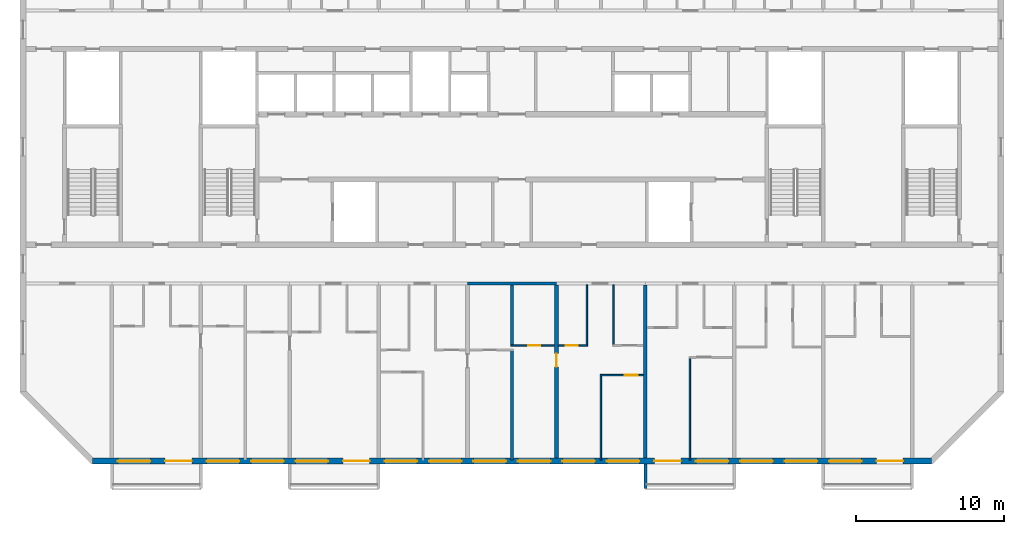
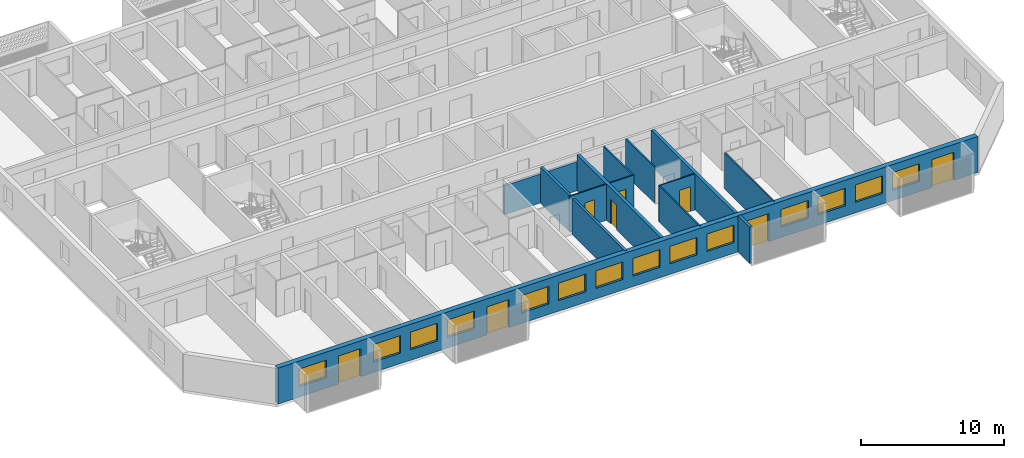
# One storey, part 4 of 26: 14 walls, 14 windows, 8 doors, 22 openings.
"""IFC4 building model written with IfcOpenShell, lengths in metres."""

from ifc_helpers import new_model, si_unit, direction, frame, frame_2d, origin, place, context, subcontext, project, spatial, polyline, rectangle, outline, extrude, source, transform, mapped, material, layer, layer_set, type_object, element, fill, save


model = new_model("IFC4")

# Units and contexts
model_context = context("Model", 3, precision=1e-05, world=origin(), true_north=direction((0.0, 1.0)))
body_context = subcontext(model_context, "Body", "Model", "MODEL_VIEW")
ifc_project = project(units=[si_unit("LENGTHUNIT", "METRE"), si_unit("AREAUNIT", "SQUARE_METRE"), si_unit("VOLUMEUNIT", "CUBIC_METRE"), si_unit("PLANEANGLEUNIT", "RADIAN"), si_unit("MASSUNIT", "GRAM", prefix="KILO")], contexts=[model_context])

# Site, building, storey
site_placement = place(None, origin())
site = spatial("IfcSite", under=ifc_project, at=site_placement, CompositionType="ELEMENT")
building_placement = place(site_placement, origin())
building = spatial("IfcBuilding", under=site, at=building_placement, Name="Poui Terraces", CompositionType="ELEMENT")
storey_placement = place(building_placement, frame((0.0, 0.0, 244.5)))
storey = spatial("IfcBuildingStorey", under=building, at=storey_placement, Name="L68", CompositionType="ELEMENT", Elevation=244.5)

# Wall
ifc_material_1 = material(Name="Concrete 50 MPa", Category="concrete")
ifc_layer_1 = layer(ifc_material_1, 0.199951171875)
ifc_layer_set_1 = layer_set([ifc_layer_1], Name="Concrete 50 MPa")
wall_type_1 = type_object("IfcWallType", Name="CORRIDOR WALL 200 50MPa", PredefinedType="SHEAR", material=ifc_layer_set_1)
wall_1_placement = place(storey_placement, frame((48.0, 12.0, 0.0), z_axis=(0.0, 0.0, 1.0), x_axis=(1.0, 0.0, 0.0)))
element("IfcWall", 1, at=wall_1_placement, inside=storey, type_object=wall_type_1, Name="CORRIDOR WALL LINE B BAY 6", PredefinedType="SHEAR", context=body_context, shape_type="SweptSolid", body=[
    extrude(rectangle(XDim=6.0, YDim=0.199951171875, at=frame_2d((3.0, 0.0))), origin(), (0.0, 0.0, 1.0), 2.47998046875),
])

# Wall, opening, door
ifc_layer_2 = layer(ifc_material_1, 0.25)
ifc_layer_set_2 = layer_set([ifc_layer_2], Name="Concrete 50 MPa")
wall_type_2 = type_object("IfcWallType", Name="CROSS WALL 250 50MPa", PredefinedType="SHEAR", material=ifc_layer_set_2)
wall_2_placement = place(storey_placement, frame((54.0, 0.199951171875, 0.0), z_axis=(0.0, 0.0, 1.0), x_axis=(0.0, 1.0, 0.0)))
wall_2 = element("IfcWall", 2, at=wall_2_placement, inside=storey, type_object=wall_type_2, Name="CROSS WALL LINE 10 SOUTH", PredefinedType="SHEAR", context=body_context, shape_type="SweptSolid", body=[
    extrude(rectangle(XDim=11.699951171875, YDim=0.25, at=frame_2d((5.85009765625, 0.0))), origin(), (0.0, 0.0, 1.0), 3.080078125),
])
opening_1_placement = place(wall_2_placement, frame((6.14990234375, 0.0, 0.0)))
opening_1 = element("IfcOpeningElement", 3, at=opening_1_placement, cuts=wall_2, Name="Opening D90", PredefinedType="OPENING", context=body_context, shape_type="SweptSolid", body=[
    extrude(rectangle(XDim=0.89990234375, YDim=2.10009765625, at=frame_2d((0.449951171875, 1.050048828125))), frame((0.0, 0.135009765625, 0.0), z_axis=(0.0, -1.0, 0.0), x_axis=(1.0, 0.0, 0.0)), (0.0, 0.0, 1.0), 0.27001953125),
])
ifc_material_2 = material(Name="Solid core timber door", Category="wood")
door_type_1 = type_object("IfcDoorType", Name="INTERNAL DOOR 900 X 2100", OperationType="NOTDEFINED", PredefinedType="DOOR", material=ifc_material_2)
door_1_placement = place(opening_1_placement, origin())
door_1 = element("IfcDoor", 4, at=door_1_placement, inside=storey, type_object=door_type_1, Name="INTERNAL DOOR 079", OperationType="SINGLE_SWING_RIGHT", OverallHeight=2.10009765625, OverallWidth=0.89990234375, PredefinedType="DOOR", context=body_context, shape_type="SweptSolid", body=[
    extrude(rectangle(XDim=0.89990234375, YDim=2.10009765625, at=frame_2d((0.449951171875, 1.050048828125))), frame((0.0, 0.02490234375, 0.0), z_axis=(0.0, -1.0, 0.0), x_axis=(1.0, 0.0, 0.0)), (0.0, 0.0, 1.0), 0.050048828125),
])
fill(opening_1, door_1)

# Wall
wall_3_placement = place(storey_placement, frame((60.0, 0.199951171875, 0.0), z_axis=(0.0, 0.0, 1.0), x_axis=(0.0, 1.0, 0.0)))
element("IfcWall", 5, at=wall_3_placement, inside=storey, type_object=wall_type_2, Name="CROSS WALL LINE 11 SOUTH", PredefinedType="SHEAR", context=body_context, shape_type="SweptSolid", body=[
    extrude(rectangle(XDim=11.699951171875, YDim=0.25, at=frame_2d((5.85009765625, 0.0))), origin(), (0.0, 0.0, 1.0), 3.080078125),
])

# Wall, openings, doors, windows
ifc_material_3 = material(Name="Precast concrete 40 MPa", Category="concrete")
ifc_layer_3 = layer(ifc_material_3, 0.39990234375)
ifc_layer_set_3 = layer_set([ifc_layer_3], Name="Precast concrete 40 MPa")
wall_type_3 = type_object("IfcWallType", Name="EXTERNAL WALL 400", PredefinedType="STANDARD", material=ifc_layer_set_3)
wall_4_placement = place(storey_placement, frame((22.682861328125, 0.0, 0.0), z_axis=(0.0, 0.0, 1.0), x_axis=(1.0, 0.0, 0.0)))
wall_4 = element("IfcWall", 6, at=wall_4_placement, inside=storey, type_object=wall_type_3, Name="EXTERNAL WALL S", PredefinedType="STANDARD", context=body_context, shape_type="SweptSolid", body=[
    extrude(rectangle(XDim=56.63427734375, YDim=0.39990234375, at=frame_2d((28.317138671875, 0.0))), origin(), (0.0, 0.0, 1.0), 3.080078125),
])
opening_2_placement = place(wall_4_placement, frame((1.71728515625, 0.0, 0.89990234375)))
opening_2 = element("IfcOpeningElement", 7, at=opening_2_placement, cuts=wall_4, Name="Opening W1", PredefinedType="OPENING", context=body_context, shape_type="SweptSolid", body=[
    extrude(rectangle(XDim=2.199951171875, YDim=1.5, at=frame_2d((1.10009765625, 0.75))), frame((0.0, 0.2099609375, 0.0), z_axis=(0.0, -1.0, 0.0), x_axis=(1.0, 0.0, 0.0)), (0.0, 0.0, 1.0), 0.419921875),
])
opening_3_placement = place(wall_4_placement, frame((4.917236328125, 0.0, 0.0)))
opening_3 = element("IfcOpeningElement", 8, at=opening_3_placement, cuts=wall_4, Name="Opening BD1", PredefinedType="OPENING", context=body_context, shape_type="SweptSolid", body=[
    extrude(rectangle(XDim=1.800048828125, YDim=2.39990234375, at=frame_2d((0.89990234375, 1.199951171875))), frame((0.0, 0.2099609375, 0.0), z_axis=(0.0, -1.0, 0.0), x_axis=(1.0, 0.0, 0.0)), (0.0, 0.0, 1.0), 0.419921875),
])
opening_4_placement = place(wall_4_placement, frame((7.71728515625, 0.0, 0.89990234375)))
opening_4 = element("IfcOpeningElement", 9, at=opening_4_placement, cuts=wall_4, Name="Opening W1", PredefinedType="OPENING", context=body_context, shape_type="SweptSolid", body=[
    extrude(rectangle(XDim=2.199951171875, YDim=1.5, at=frame_2d((1.10009765625, 0.75))), frame((0.0, 0.2099609375, 0.0), z_axis=(0.0, -1.0, 0.0), x_axis=(1.0, 0.0, 0.0)), (0.0, 0.0, 1.0), 0.419921875),
])
opening_5_placement = place(wall_4_placement, frame((10.71728515625, 0.0, 0.89990234375)))
opening_5 = element("IfcOpeningElement", 10, at=opening_5_placement, cuts=wall_4, Name="Opening W1", PredefinedType="OPENING", context=body_context, shape_type="SweptSolid", body=[
    extrude(rectangle(XDim=2.199951171875, YDim=1.5, at=frame_2d((1.10009765625, 0.75))), frame((0.0, 0.2099609375, 0.0), z_axis=(0.0, -1.0, 0.0), x_axis=(1.0, 0.0, 0.0)), (0.0, 0.0, 1.0), 0.419921875),
])
opening_6_placement = place(wall_4_placement, frame((13.71728515625, 0.0, 0.89990234375)))
opening_6 = element("IfcOpeningElement", 11, at=opening_6_placement, cuts=wall_4, Name="Opening W1", PredefinedType="OPENING", context=body_context, shape_type="SweptSolid", body=[
    extrude(rectangle(XDim=2.199951171875, YDim=1.5, at=frame_2d((1.10009765625, 0.75))), frame((0.0, 0.2099609375, 0.0), z_axis=(0.0, -1.0, 0.0), x_axis=(1.0, 0.0, 0.0)), (0.0, 0.0, 1.0), 0.419921875),
])
opening_7_placement = place(wall_4_placement, frame((16.917236328125, 0.0, 0.0)))
opening_7 = element("IfcOpeningElement", 12, at=opening_7_placement, cuts=wall_4, Name="Opening BD1", PredefinedType="OPENING", context=body_context, shape_type="SweptSolid", body=[
    extrude(rectangle(XDim=1.800048828125, YDim=2.39990234375, at=frame_2d((0.89990234375, 1.199951171875))), frame((0.0, 0.2099609375, 0.0), z_axis=(0.0, -1.0, 0.0), x_axis=(1.0, 0.0, 0.0)), (0.0, 0.0, 1.0), 0.419921875),
])
opening_8_placement = place(wall_4_placement, frame((19.71728515625, 0.0, 0.89990234375)))
opening_8 = element("IfcOpeningElement", 13, at=opening_8_placement, cuts=wall_4, Name="Opening W1", PredefinedType="OPENING", context=body_context, shape_type="SweptSolid", body=[
    extrude(rectangle(XDim=2.199951171875, YDim=1.5, at=frame_2d((1.10009765625, 0.75))), frame((0.0, 0.2099609375, 0.0), z_axis=(0.0, -1.0, 0.0), x_axis=(1.0, 0.0, 0.0)), (0.0, 0.0, 1.0), 0.419921875),
])
opening_9_placement = place(wall_4_placement, frame((22.71728515625, 0.0, 0.89990234375)))
opening_9 = element("IfcOpeningElement", 14, at=opening_9_placement, cuts=wall_4, Name="Opening W1", PredefinedType="OPENING", context=body_context, shape_type="SweptSolid", body=[
    extrude(rectangle(XDim=2.199951171875, YDim=1.5, at=frame_2d((1.10009765625, 0.75))), frame((0.0, 0.2099609375, 0.0), z_axis=(0.0, -1.0, 0.0), x_axis=(1.0, 0.0, 0.0)), (0.0, 0.0, 1.0), 0.419921875),
])
opening_10_placement = place(wall_4_placement, frame((25.71728515625, 0.0, 0.89990234375)))
opening_10 = element("IfcOpeningElement", 15, at=opening_10_placement, cuts=wall_4, Name="Opening W1", PredefinedType="OPENING", context=body_context, shape_type="SweptSolid", body=[
    extrude(rectangle(XDim=2.199951171875, YDim=1.5, at=frame_2d((1.10009765625, 0.75))), frame((0.0, 0.2099609375, 0.0), z_axis=(0.0, -1.0, 0.0), x_axis=(1.0, 0.0, 0.0)), (0.0, 0.0, 1.0), 0.419921875),
])
opening_11_placement = place(wall_4_placement, frame((28.71728515625, 0.0, 0.89990234375)))
opening_11 = element("IfcOpeningElement", 16, at=opening_11_placement, cuts=wall_4, Name="Opening W1", PredefinedType="OPENING", context=body_context, shape_type="SweptSolid", body=[
    extrude(rectangle(XDim=2.199951171875, YDim=1.5, at=frame_2d((1.10009765625, 0.75))), frame((0.0, 0.2099609375, 0.0), z_axis=(0.0, -1.0, 0.0), x_axis=(1.0, 0.0, 0.0)), (0.0, 0.0, 1.0), 0.419921875),
])
opening_12_placement = place(wall_4_placement, frame((31.71728515625, 0.0, 0.89990234375)))
opening_12 = element("IfcOpeningElement", 17, at=opening_12_placement, cuts=wall_4, Name="Opening W1", PredefinedType="OPENING", context=body_context, shape_type="SweptSolid", body=[
    extrude(rectangle(XDim=2.199951171875, YDim=1.5, at=frame_2d((1.10009765625, 0.75))), frame((0.0, 0.2099609375, 0.0), z_axis=(0.0, -1.0, 0.0), x_axis=(1.0, 0.0, 0.0)), (0.0, 0.0, 1.0), 0.419921875),
])
opening_13_placement = place(wall_4_placement, frame((34.71728515625, 0.0, 0.89990234375)))
opening_13 = element("IfcOpeningElement", 18, at=opening_13_placement, cuts=wall_4, Name="Opening W1", PredefinedType="OPENING", context=body_context, shape_type="SweptSolid", body=[
    extrude(rectangle(XDim=2.199951171875, YDim=1.5, at=frame_2d((1.10009765625, 0.75))), frame((0.0, 0.2099609375, 0.0), z_axis=(0.0, -1.0, 0.0), x_axis=(1.0, 0.0, 0.0)), (0.0, 0.0, 1.0), 0.419921875),
])
opening_14_placement = place(wall_4_placement, frame((37.917236328125, 0.0, 0.0)))
opening_14 = element("IfcOpeningElement", 19, at=opening_14_placement, cuts=wall_4, Name="Opening BD1", PredefinedType="OPENING", context=body_context, shape_type="SweptSolid", body=[
    extrude(rectangle(XDim=1.800048828125, YDim=2.39990234375, at=frame_2d((0.89990234375, 1.199951171875))), frame((0.0, 0.2099609375, 0.0), z_axis=(0.0, -1.0, 0.0), x_axis=(1.0, 0.0, 0.0)), (0.0, 0.0, 1.0), 0.419921875),
])
opening_15_placement = place(wall_4_placement, frame((40.71728515625, 0.0, 0.89990234375)))
opening_15 = element("IfcOpeningElement", 20, at=opening_15_placement, cuts=wall_4, Name="Opening W1", PredefinedType="OPENING", context=body_context, shape_type="SweptSolid", body=[
    extrude(rectangle(XDim=2.199951171875, YDim=1.5, at=frame_2d((1.10009765625, 0.75))), frame((0.0, 0.2099609375, 0.0), z_axis=(0.0, -1.0, 0.0), x_axis=(1.0, 0.0, 0.0)), (0.0, 0.0, 1.0), 0.419921875),
])
opening_16_placement = place(wall_4_placement, frame((43.71728515625, 0.0, 0.89990234375)))
opening_16 = element("IfcOpeningElement", 21, at=opening_16_placement, cuts=wall_4, Name="Opening W1", PredefinedType="OPENING", context=body_context, shape_type="SweptSolid", body=[
    extrude(rectangle(XDim=2.199951171875, YDim=1.5, at=frame_2d((1.10009765625, 0.75))), frame((0.0, 0.2099609375, 0.0), z_axis=(0.0, -1.0, 0.0), x_axis=(1.0, 0.0, 0.0)), (0.0, 0.0, 1.0), 0.419921875),
])
opening_17_placement = place(wall_4_placement, frame((46.71728515625, 0.0, 0.89990234375)))
opening_17 = element("IfcOpeningElement", 22, at=opening_17_placement, cuts=wall_4, Name="Opening W1", PredefinedType="OPENING", context=body_context, shape_type="SweptSolid", body=[
    extrude(rectangle(XDim=2.199951171875, YDim=1.5, at=frame_2d((1.10009765625, 0.75))), frame((0.0, 0.2099609375, 0.0), z_axis=(0.0, -1.0, 0.0), x_axis=(1.0, 0.0, 0.0)), (0.0, 0.0, 1.0), 0.419921875),
])
opening_18_placement = place(wall_4_placement, frame((49.71728515625, 0.0, 0.89990234375)))
opening_18 = element("IfcOpeningElement", 23, at=opening_18_placement, cuts=wall_4, Name="Opening W1", PredefinedType="OPENING", context=body_context, shape_type="SweptSolid", body=[
    extrude(rectangle(XDim=2.199951171875, YDim=1.5, at=frame_2d((1.10009765625, 0.75))), frame((0.0, 0.2099609375, 0.0), z_axis=(0.0, -1.0, 0.0), x_axis=(1.0, 0.0, 0.0)), (0.0, 0.0, 1.0), 0.419921875),
])
opening_19_placement = place(wall_4_placement, frame((52.917236328125, 0.0, 0.0)))
opening_19 = element("IfcOpeningElement", 24, at=opening_19_placement, cuts=wall_4, Name="Opening BD1", PredefinedType="OPENING", context=body_context, shape_type="SweptSolid", body=[
    extrude(rectangle(XDim=1.800048828125, YDim=2.39990234375, at=frame_2d((0.89990234375, 1.199951171875))), frame((0.0, 0.2099609375, 0.0), z_axis=(0.0, -1.0, 0.0), x_axis=(1.0, 0.0, 0.0)), (0.0, 0.0, 1.0), 0.419921875),
])
ifc_material_4 = material(Name="Clear glass in aluminium frame", Category="aluminium")
door_type_2 = type_object("IfcDoorType", Name="BALCONY DOOR 1800X2400", OperationType="DOUBLE_DOOR_SLIDING", PredefinedType="DOOR", material=ifc_material_4)
door_2_placement = place(opening_3_placement, origin())
door_2 = element("IfcDoor", 25, at=door_2_placement, inside=storey, type_object=door_type_2, Name="BD1 BALCONY DOOR", OperationType="DOUBLE_DOOR_SLIDING", OverallHeight=2.39990234375, OverallWidth=1.800048828125, PredefinedType="DOOR", context=body_context, shape_type="SweptSolid", body=[
    extrude(rectangle(XDim=1.800048828125, YDim=2.39990234375, at=frame_2d((0.89990234375, 1.199951171875))), frame((0.0, 0.02490234375, 0.0), z_axis=(0.0, -1.0, 0.0), x_axis=(1.0, 0.0, 0.0)), (0.0, 0.0, 1.0), 0.050048828125),
])
fill(opening_3, door_2)
door_3_placement = place(opening_7_placement, origin())
door_3 = element("IfcDoor", 26, at=door_3_placement, inside=storey, type_object=door_type_2, Name="BD1 BALCONY DOOR", OperationType="DOUBLE_DOOR_SLIDING", OverallHeight=2.39990234375, OverallWidth=1.800048828125, PredefinedType="DOOR", context=body_context, shape_type="SweptSolid", body=[
    extrude(rectangle(XDim=1.800048828125, YDim=2.39990234375, at=frame_2d((0.89990234375, 1.199951171875))), frame((0.0, 0.02490234375, 0.0), z_axis=(0.0, -1.0, 0.0), x_axis=(1.0, 0.0, 0.0)), (0.0, 0.0, 1.0), 0.050048828125),
])
fill(opening_7, door_3)
door_4_placement = place(opening_14_placement, origin())
door_4 = element("IfcDoor", 27, at=door_4_placement, inside=storey, type_object=door_type_2, Name="BD1 BALCONY DOOR", OperationType="DOUBLE_DOOR_SLIDING", OverallHeight=2.39990234375, OverallWidth=1.800048828125, PredefinedType="DOOR", context=body_context, shape_type="SweptSolid", body=[
    extrude(rectangle(XDim=1.800048828125, YDim=2.39990234375, at=frame_2d((0.89990234375, 1.199951171875))), frame((0.0, 0.02490234375, 0.0), z_axis=(0.0, -1.0, 0.0), x_axis=(1.0, 0.0, 0.0)), (0.0, 0.0, 1.0), 0.050048828125),
])
fill(opening_14, door_4)
door_5_placement = place(opening_19_placement, origin())
door_5 = element("IfcDoor", 28, at=door_5_placement, inside=storey, type_object=door_type_2, Name="BD1 BALCONY DOOR", OperationType="DOUBLE_DOOR_SLIDING", OverallHeight=2.39990234375, OverallWidth=1.800048828125, PredefinedType="DOOR", context=body_context, shape_type="SweptSolid", body=[
    extrude(rectangle(XDim=1.800048828125, YDim=2.39990234375, at=frame_2d((0.89990234375, 1.199951171875))), frame((0.0, 0.02490234375, 0.0), z_axis=(0.0, -1.0, 0.0), x_axis=(1.0, 0.0, 0.0)), (0.0, 0.0, 1.0), 0.050048828125),
])
fill(opening_19, door_5)
window_type = type_object("IfcWindowType", Name="WINDOW 2200X1500", PartitioningType="DOUBLE_PANEL_HORIZONTAL", PredefinedType="WINDOW", material=ifc_material_4)
window_1_placement = place(opening_2_placement, origin())
window_1 = element("IfcWindow", 29, at=window_1_placement, inside=storey, type_object=window_type, Name="W1 WINDOW", OverallHeight=1.5, OverallWidth=2.199951171875, PartitioningType="DOUBLE_PANEL_HORIZONTAL", PredefinedType="WINDOW", context=body_context, shape_type="SweptSolid", body=[
    extrude(rectangle(XDim=2.199951171875, YDim=1.5, at=frame_2d((1.10009765625, 0.75))), frame((0.0, 0.030029296875, 0.0), z_axis=(0.0, -1.0, 0.0), x_axis=(1.0, 0.0, 0.0)), (0.0, 0.0, 1.0), 0.06005859375),
])
fill(opening_2, window_1)
window_2_placement = place(opening_4_placement, origin())
window_2 = element("IfcWindow", 30, at=window_2_placement, inside=storey, type_object=window_type, Name="W1 WINDOW", OverallHeight=1.5, OverallWidth=2.199951171875, PartitioningType="DOUBLE_PANEL_HORIZONTAL", PredefinedType="WINDOW", context=body_context, shape_type="SweptSolid", body=[
    extrude(rectangle(XDim=2.199951171875, YDim=1.5, at=frame_2d((1.10009765625, 0.75))), frame((0.0, 0.030029296875, 0.0), z_axis=(0.0, -1.0, 0.0), x_axis=(1.0, 0.0, 0.0)), (0.0, 0.0, 1.0), 0.06005859375),
])
fill(opening_4, window_2)
window_3_placement = place(opening_5_placement, origin())
window_3 = element("IfcWindow", 31, at=window_3_placement, inside=storey, type_object=window_type, Name="W1 WINDOW", OverallHeight=1.5, OverallWidth=2.199951171875, PartitioningType="DOUBLE_PANEL_HORIZONTAL", PredefinedType="WINDOW", context=body_context, shape_type="SweptSolid", body=[
    extrude(rectangle(XDim=2.199951171875, YDim=1.5, at=frame_2d((1.10009765625, 0.75))), frame((0.0, 0.030029296875, 0.0), z_axis=(0.0, -1.0, 0.0), x_axis=(1.0, 0.0, 0.0)), (0.0, 0.0, 1.0), 0.06005859375),
])
fill(opening_5, window_3)
window_4_placement = place(opening_6_placement, origin())
window_4 = element("IfcWindow", 32, at=window_4_placement, inside=storey, type_object=window_type, Name="W1 WINDOW", OverallHeight=1.5, OverallWidth=2.199951171875, PartitioningType="DOUBLE_PANEL_HORIZONTAL", PredefinedType="WINDOW", context=body_context, shape_type="SweptSolid", body=[
    extrude(rectangle(XDim=2.199951171875, YDim=1.5, at=frame_2d((1.10009765625, 0.75))), frame((0.0, 0.030029296875, 0.0), z_axis=(0.0, -1.0, 0.0), x_axis=(1.0, 0.0, 0.0)), (0.0, 0.0, 1.0), 0.06005859375),
])
fill(opening_6, window_4)
window_5_placement = place(opening_8_placement, origin())
window_5 = element("IfcWindow", 33, at=window_5_placement, inside=storey, type_object=window_type, Name="W1 WINDOW", OverallHeight=1.5, OverallWidth=2.199951171875, PartitioningType="DOUBLE_PANEL_HORIZONTAL", PredefinedType="WINDOW", context=body_context, shape_type="SweptSolid", body=[
    extrude(rectangle(XDim=2.199951171875, YDim=1.5, at=frame_2d((1.10009765625, 0.75))), frame((0.0, 0.030029296875, 0.0), z_axis=(0.0, -1.0, 0.0), x_axis=(1.0, 0.0, 0.0)), (0.0, 0.0, 1.0), 0.06005859375),
])
fill(opening_8, window_5)
window_6_placement = place(opening_9_placement, origin())
window_6 = element("IfcWindow", 34, at=window_6_placement, inside=storey, type_object=window_type, Name="W1 WINDOW", OverallHeight=1.5, OverallWidth=2.199951171875, PartitioningType="DOUBLE_PANEL_HORIZONTAL", PredefinedType="WINDOW", context=body_context, shape_type="SweptSolid", body=[
    extrude(rectangle(XDim=2.199951171875, YDim=1.5, at=frame_2d((1.10009765625, 0.75))), frame((0.0, 0.030029296875, 0.0), z_axis=(0.0, -1.0, 0.0), x_axis=(1.0, 0.0, 0.0)), (0.0, 0.0, 1.0), 0.06005859375),
])
fill(opening_9, window_6)
window_7_placement = place(opening_10_placement, origin())
window_7 = element("IfcWindow", 35, at=window_7_placement, inside=storey, type_object=window_type, Name="W1 WINDOW", OverallHeight=1.5, OverallWidth=2.199951171875, PartitioningType="DOUBLE_PANEL_HORIZONTAL", PredefinedType="WINDOW", context=body_context, shape_type="SweptSolid", body=[
    extrude(rectangle(XDim=2.199951171875, YDim=1.5, at=frame_2d((1.10009765625, 0.75))), frame((0.0, 0.030029296875, 0.0), z_axis=(0.0, -1.0, 0.0), x_axis=(1.0, 0.0, 0.0)), (0.0, 0.0, 1.0), 0.06005859375),
])
fill(opening_10, window_7)
window_8_placement = place(opening_11_placement, origin())
window_8 = element("IfcWindow", 36, at=window_8_placement, inside=storey, type_object=window_type, Name="W1 WINDOW", OverallHeight=1.5, OverallWidth=2.199951171875, PartitioningType="DOUBLE_PANEL_HORIZONTAL", PredefinedType="WINDOW", context=body_context, shape_type="SweptSolid", body=[
    extrude(rectangle(XDim=2.199951171875, YDim=1.5, at=frame_2d((1.10009765625, 0.75))), frame((0.0, 0.030029296875, 0.0), z_axis=(0.0, -1.0, 0.0), x_axis=(1.0, 0.0, 0.0)), (0.0, 0.0, 1.0), 0.06005859375),
])
fill(opening_11, window_8)
window_9_placement = place(opening_12_placement, origin())
window_9 = element("IfcWindow", 37, at=window_9_placement, inside=storey, type_object=window_type, Name="W1 WINDOW", OverallHeight=1.5, OverallWidth=2.199951171875, PartitioningType="DOUBLE_PANEL_HORIZONTAL", PredefinedType="WINDOW", context=body_context, shape_type="SweptSolid", body=[
    extrude(rectangle(XDim=2.199951171875, YDim=1.5, at=frame_2d((1.10009765625, 0.75))), frame((0.0, 0.030029296875, 0.0), z_axis=(0.0, -1.0, 0.0), x_axis=(1.0, 0.0, 0.0)), (0.0, 0.0, 1.0), 0.06005859375),
])
fill(opening_12, window_9)
window_10_placement = place(opening_13_placement, origin())
window_10 = element("IfcWindow", 38, at=window_10_placement, inside=storey, type_object=window_type, Name="W1 WINDOW", OverallHeight=1.5, OverallWidth=2.199951171875, PartitioningType="DOUBLE_PANEL_HORIZONTAL", PredefinedType="WINDOW", context=body_context, shape_type="SweptSolid", body=[
    extrude(rectangle(XDim=2.199951171875, YDim=1.5, at=frame_2d((1.10009765625, 0.75))), frame((0.0, 0.030029296875, 0.0), z_axis=(0.0, -1.0, 0.0), x_axis=(1.0, 0.0, 0.0)), (0.0, 0.0, 1.0), 0.06005859375),
])
fill(opening_13, window_10)
window_11_placement = place(opening_15_placement, origin())
window_11 = element("IfcWindow", 39, at=window_11_placement, inside=storey, type_object=window_type, Name="W1 WINDOW", OverallHeight=1.5, OverallWidth=2.199951171875, PartitioningType="DOUBLE_PANEL_HORIZONTAL", PredefinedType="WINDOW", context=body_context, shape_type="SweptSolid", body=[
    extrude(rectangle(XDim=2.199951171875, YDim=1.5, at=frame_2d((1.10009765625, 0.75))), frame((0.0, 0.030029296875, 0.0), z_axis=(0.0, -1.0, 0.0), x_axis=(1.0, 0.0, 0.0)), (0.0, 0.0, 1.0), 0.06005859375),
])
fill(opening_15, window_11)
window_12_placement = place(opening_16_placement, origin())
window_12 = element("IfcWindow", 40, at=window_12_placement, inside=storey, type_object=window_type, Name="W1 WINDOW", OverallHeight=1.5, OverallWidth=2.199951171875, PartitioningType="DOUBLE_PANEL_HORIZONTAL", PredefinedType="WINDOW", context=body_context, shape_type="SweptSolid", body=[
    extrude(rectangle(XDim=2.199951171875, YDim=1.5, at=frame_2d((1.10009765625, 0.75))), frame((0.0, 0.030029296875, 0.0), z_axis=(0.0, -1.0, 0.0), x_axis=(1.0, 0.0, 0.0)), (0.0, 0.0, 1.0), 0.06005859375),
])
fill(opening_16, window_12)
window_13_placement = place(opening_17_placement, origin())
window_13 = element("IfcWindow", 41, at=window_13_placement, inside=storey, type_object=window_type, Name="W1 WINDOW", OverallHeight=1.5, OverallWidth=2.199951171875, PartitioningType="DOUBLE_PANEL_HORIZONTAL", PredefinedType="WINDOW", context=body_context, shape_type="SweptSolid", body=[
    extrude(rectangle(XDim=2.199951171875, YDim=1.5, at=frame_2d((1.10009765625, 0.75))), frame((0.0, 0.030029296875, 0.0), z_axis=(0.0, -1.0, 0.0), x_axis=(1.0, 0.0, 0.0)), (0.0, 0.0, 1.0), 0.06005859375),
])
fill(opening_17, window_13)
window_14_placement = place(opening_18_placement, origin())
window_14 = element("IfcWindow", 42, at=window_14_placement, inside=storey, type_object=window_type, Name="W1 WINDOW", OverallHeight=1.5, OverallWidth=2.199951171875, PartitioningType="DOUBLE_PANEL_HORIZONTAL", PredefinedType="WINDOW", context=body_context, shape_type="SweptSolid", body=[
    extrude(rectangle(XDim=2.199951171875, YDim=1.5, at=frame_2d((1.10009765625, 0.75))), frame((0.0, 0.030029296875, 0.0), z_axis=(0.0, -1.0, 0.0), x_axis=(1.0, 0.0, 0.0)), (0.0, 0.0, 1.0), 0.06005859375),
])
fill(opening_18, window_14)

# Wall, opening, door
ifc_material_5 = material(Name="Plasterboard partition")
ifc_layer_4 = layer(ifc_material_5, 0.10009765625)
ifc_layer_set_4 = layer_set([ifc_layer_4], Name="Plasterboard partition")
wall_type_4 = type_object("IfcWallType", Name="FLAT PARTITION 100", PredefinedType="PARTITIONING", material=ifc_layer_set_4)
wall_5_placement = place(storey_placement, frame((56.949951171875, 5.800048828125, 0.0), z_axis=(0.0, 0.0, 1.0), x_axis=(1.0, 0.0, 0.0)))
wall_5 = element("IfcWall", 43, at=wall_5_placement, inside=storey, type_object=wall_type_4, Name="FLAT PARTITION 100", PredefinedType="PARTITIONING", context=body_context, shape_type="SweptSolid", body=[
    extrude(rectangle(XDim=2.9150390625, YDim=0.10009765625, at=frame_2d((1.45751953125, 0.0))), origin(), (0.0, 0.0, 1.0), 3.080078125),
])
opening_20_placement = place(wall_5_placement, frame((1.64990234375, 0.0, 0.0)))
opening_20 = element("IfcOpeningElement", 44, at=opening_20_placement, cuts=wall_5, Name="Opening D90", PredefinedType="OPENING", context=body_context, shape_type="SweptSolid", body=[
    extrude(rectangle(XDim=0.89990234375, YDim=2.10009765625, at=frame_2d((0.449951171875, 1.050048828125))), frame((0.0, 0.06005859375, 0.0), z_axis=(0.0, -1.0, 0.0), x_axis=(1.0, 0.0, 0.0)), (0.0, 0.0, 1.0), 0.1201171875),
])
door_6_placement = place(opening_20_placement, origin())
door_6 = element("IfcDoor", 45, at=door_6_placement, inside=storey, type_object=door_type_1, Name="INTERNAL DOOR 083", OperationType="SINGLE_SWING_LEFT", OverallHeight=2.10009765625, OverallWidth=0.89990234375, PredefinedType="DOOR", context=body_context, shape_type="SweptSolid", body=[
    extrude(rectangle(XDim=0.89990234375, YDim=2.10009765625, at=frame_2d((0.449951171875, 1.050048828125))), frame((0.0, 0.02490234375, 0.0), z_axis=(0.0, -1.0, 0.0), x_axis=(1.0, 0.0, 0.0)), (0.0, 0.0, 1.0), 0.050048828125),
])
fill(opening_20, door_6)

wall_6_placement = place(storey_placement, frame((50.89990234375, 7.800048828125, 0.0), z_axis=(0.0, 0.0, 1.0), x_axis=(1.0, 0.0, 0.0)))
wall_6 = element("IfcWall", 46, at=wall_6_placement, inside=storey, type_object=wall_type_4, Name="FLAT PARTITION 100", PredefinedType="PARTITIONING", context=body_context, shape_type="SweptSolid", body=[
    extrude(rectangle(XDim=2.965087890625, YDim=0.10009765625, at=frame_2d((1.482421875, 0.0))), origin(), (0.0, 0.0, 1.0), 3.080078125),
])
opening_21_placement = place(wall_6_placement, frame((1.199951171875, 0.0, 0.0)))
opening_21 = element("IfcOpeningElement", 47, at=opening_21_placement, cuts=wall_6, Name="Opening D80", PredefinedType="OPENING", context=body_context, shape_type="SweptSolid", body=[
    extrude(rectangle(XDim=0.800048828125, YDim=2.10009765625, at=frame_2d((0.39990234375, 1.050048828125))), frame((0.0, 0.06005859375, 0.0), z_axis=(0.0, -1.0, 0.0), x_axis=(1.0, 0.0, 0.0)), (0.0, 0.0, 1.0), 0.1201171875),
])
door_type_3 = type_object("IfcDoorType", Name="BATHROOM, LAUNDRY AND STORE DOOR 800 X 2100", OperationType="NOTDEFINED", PredefinedType="DOOR", material=ifc_material_2)
door_7_placement = place(opening_21_placement, origin())
door_7 = element("IfcDoor", 48, at=door_7_placement, inside=storey, type_object=door_type_3, Name="BATHROOM, LAUNDRY AND STORE DOOR 078", OperationType="SINGLE_SWING_LEFT", OverallHeight=2.10009765625, OverallWidth=0.800048828125, PredefinedType="DOOR", context=body_context, shape_type="SweptSolid", body=[
    extrude(rectangle(XDim=0.800048828125, YDim=2.10009765625, at=frame_2d((0.39990234375, 1.050048828125))), frame((0.0, 0.02490234375, 0.0), z_axis=(0.0, -1.0, 0.0), x_axis=(1.0, 0.0, 0.0)), (0.0, 0.0, 1.0), 0.050048828125),
])
fill(opening_21, door_7)

wall_7_placement = place(storey_placement, frame((54.135009765625, 7.800048828125, 0.0), z_axis=(0.0, 0.0, 1.0), x_axis=(1.0, 0.0, 0.0)))
wall_7 = element("IfcWall", 49, at=wall_7_placement, inside=storey, type_object=wall_type_4, Name="FLAT PARTITION 100", PredefinedType="PARTITIONING", context=body_context, shape_type="SweptSolid", body=[
    extrude(rectangle(XDim=1.965087890625, YDim=0.10009765625, at=frame_2d((0.982421875, 0.0))), origin(), (0.0, 0.0, 1.0), 3.080078125),
])
opening_22_placement = place(wall_7_placement, frame((0.489990234375, 0.0, 0.0)))
opening_22 = element("IfcOpeningElement", 50, at=opening_22_placement, cuts=wall_7, Name="Opening D80", PredefinedType="OPENING", context=body_context, shape_type="SweptSolid", body=[
    extrude(rectangle(XDim=0.800048828125, YDim=2.10009765625, at=frame_2d((0.39990234375, 1.050048828125))), frame((0.0, 0.06005859375, 0.0), z_axis=(0.0, -1.0, 0.0), x_axis=(1.0, 0.0, 0.0)), (0.0, 0.0, 1.0), 0.1201171875),
])
door_8_placement = place(opening_22_placement, origin())
door_8 = element("IfcDoor", 51, at=door_8_placement, inside=storey, type_object=door_type_3, Name="BATHROOM, LAUNDRY AND STORE DOOR 080", OperationType="SINGLE_SWING_LEFT", OverallHeight=2.10009765625, OverallWidth=0.800048828125, PredefinedType="DOOR", context=body_context, shape_type="SweptSolid", body=[
    extrude(rectangle(XDim=0.800048828125, YDim=2.10009765625, at=frame_2d((0.39990234375, 1.050048828125))), frame((0.0, 0.02490234375, 0.0), z_axis=(0.0, -1.0, 0.0), x_axis=(1.0, 0.0, 0.0)), (0.0, 0.0, 1.0), 0.050048828125),
])
fill(opening_22, door_8)

# Walls
wall_8_placement = place(storey_placement, frame((56.050048828125, 7.85009765625, 0.0), z_axis=(0.0, 0.0, 1.0), x_axis=(0.0, 1.0, 0.0)))
element("IfcWall", 52, at=wall_8_placement, inside=storey, type_object=wall_type_4, Name="FLAT PARTITION 100", PredefinedType="PARTITIONING", context=body_context, shape_type="SweptSolid", body=[
    extrude(rectangle(XDim=4.039794921875, YDim=0.10009765625, at=frame_2d((2.02001953125, 0.0))), origin(), (0.0, 0.0, 1.0), 3.080078125),
])
wall_9_placement = place(storey_placement, frame((57.0, 0.06005859375, 0.0), z_axis=(0.0, 0.0, 1.0), x_axis=(0.0, 1.0, 0.0)))
element("IfcWall", 53, at=wall_9_placement, inside=storey, type_object=wall_type_4, Name="FLAT PARTITION 100", PredefinedType="PARTITIONING", context=body_context, shape_type="SweptSolid", body=[
    extrude(rectangle(XDim=5.68994140625, YDim=0.10009765625, at=frame_2d((2.844970703125, 0.0))), origin(), (0.0, 0.0, 1.0), 3.080078125),
])
wall_10_placement = place(storey_placement, frame((57.85009765625, 7.85009765625, 0.0), z_axis=(0.0, 0.0, 1.0), x_axis=(0.0, 1.0, 0.0)))
element("IfcWall", 54, at=wall_10_placement, inside=storey, type_object=wall_type_4, Name="FLAT PARTITION 100", PredefinedType="PARTITIONING", context=body_context, shape_type="SweptSolid", body=[
    extrude(rectangle(XDim=4.039794921875, YDim=0.10009765625, at=frame_2d((2.02001953125, 0.0))), origin(), (0.0, 0.0, 1.0), 3.080078125),
])
wall_11_placement = place(storey_placement, frame((63.0, 0.06005859375, 0.0), z_axis=(0.0, 0.0, 1.0), x_axis=(0.0, 1.0, 0.0)))
element("IfcWall", 55, at=wall_11_placement, inside=storey, type_object=wall_type_4, Name="FLAT PARTITION 100", PredefinedType="PARTITIONING", context=body_context, shape_type="SweptSolid", body=[
    extrude(rectangle(XDim=6.889892578125, YDim=0.10009765625, at=frame_2d((3.44482421875, 0.0))), origin(), (0.0, 0.0, 1.0), 3.080078125),
])
ifc_material_6 = material(Name="Fire-rated masonry wall", Category="masonry")
ifc_layer_5 = layer(ifc_material_6, 0.199951171875)
ifc_layer_set_5 = layer_set([ifc_layer_5], Name="Fire-rated masonry wall")
wall_type_5 = type_object("IfcWallType", Name="FLAT PARTY WALL 200", PredefinedType="PARTITIONING", material=ifc_layer_set_5)
wall_12_placement = place(storey_placement, frame((51.0, 0.06005859375, 0.0), z_axis=(0.0, 0.0, 1.0), x_axis=(0.0, 1.0, 0.0)))
element("IfcWall", 56, at=wall_12_placement, inside=storey, type_object=wall_type_5, Name="FLAT PARTY WALL 200", PredefinedType="PARTITIONING", context=body_context, shape_type="SweptSolid", body=[
    extrude(rectangle(XDim=7.389892578125, YDim=0.199951171875, at=frame_2d((3.69482421875, 0.0))), origin(), (0.0, 0.0, 1.0), 3.080078125),
])
wall_13_placement = place(storey_placement, frame((51.0, 7.85009765625, 0.0), z_axis=(0.0, 0.0, 1.0), x_axis=(0.0, 1.0, 0.0)))
element("IfcWall", 57, at=wall_13_placement, inside=storey, type_object=wall_type_5, Name="FLAT PARTY WALL 200", PredefinedType="PARTITIONING", context=body_context, shape_type="SweptSolid", body=[
    extrude(rectangle(XDim=4.039794921875, YDim=0.199951171875, at=frame_2d((2.02001953125, 0.0))), origin(), (0.0, 0.0, 1.0), 3.080078125),
])
ifc_layer_6 = layer(ifc_material_3, 0.199951171875)
ifc_layer_set_6 = layer_set([ifc_layer_6], Name="Precast concrete 40 MPa")
wall_type_6 = type_object("IfcWallType", Name="REAR FIN 200", PredefinedType="STANDARD", material=ifc_layer_set_6)
shared_shape = source(origin(), body_context, "Body", "SweptSolid", [
    extrude(outline(polyline([(0.0, 0.0), (0.2001953125, 0.0), (0.2001953125, 1.650146484375), (0.0, 1.650146484375), (0.0, 0.0)])), origin(), (0.0, 0.0, 1.0), 3.10009765625),
])
wall_14_placement = place(storey_placement, frame((59.89990234375, -1.85009765625, 0.0)))
element("IfcWall", 58, at=wall_14_placement, inside=storey, type_object=wall_type_6, Name="REAR FIN", PredefinedType="STANDARD", context=body_context, shape_type="MappedRepresentation", body=[
    mapped(shared_shape, transform((0.0, 0.0, 0.0))),
])

save(model, "model.ifc")
